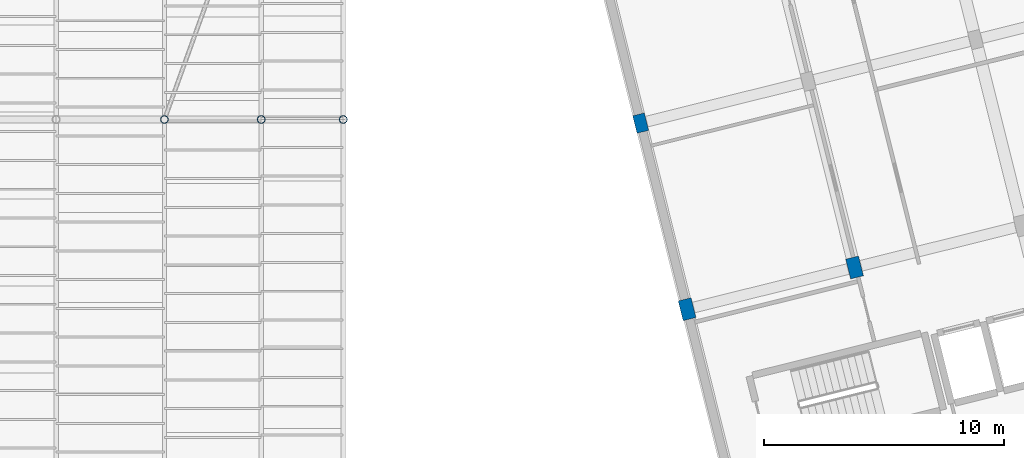
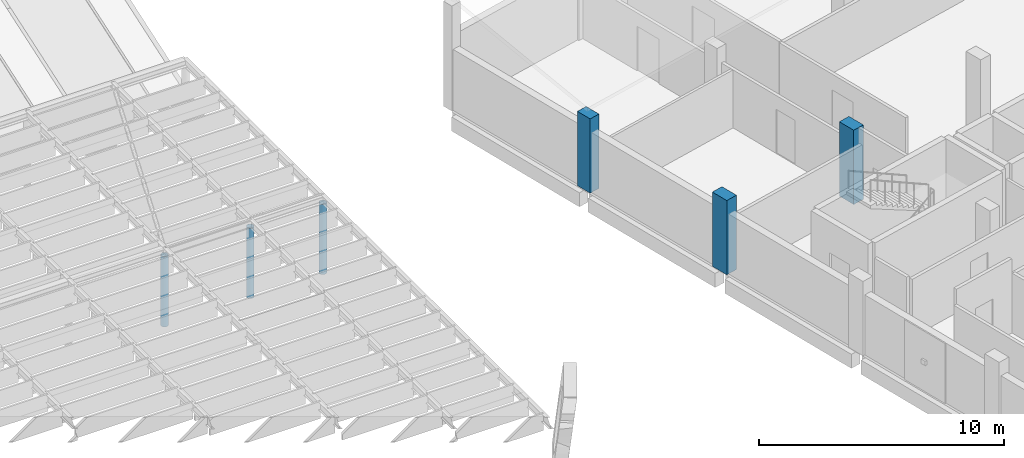
# One storey, part 8 of 47: 6 columns.
"""IFC4 building model written with IfcOpenShell, lengths in metres."""

from ifc_helpers import new_model, si_unit, direction, frame, origin, origin_2d, place, context, subcontext, project, spatial, rectangle, hollow_circle, extrude, material, material_profile, profile_set, type_object, element, save


model = new_model("IFC4")

# Units and contexts
model_context = context("Model", 3, precision=1e-05, world=origin(), true_north=direction((0.0, 1.0)))
body_context = subcontext(model_context, "Body", "Model", "MODEL_VIEW")
ifc_project = project(units=[si_unit("LENGTHUNIT", "METRE"), si_unit("AREAUNIT", "SQUARE_METRE"), si_unit("VOLUMEUNIT", "CUBIC_METRE"), si_unit("PLANEANGLEUNIT", "RADIAN"), si_unit("MASSUNIT", "GRAM", prefix="KILO")], contexts=[model_context])

# Site, building, storey
site_placement = place(None, origin())
site = spatial("IfcSite", under=ifc_project, at=site_placement, CompositionType="ELEMENT")
building_placement = place(site_placement, origin())
building = spatial("IfcBuilding", under=site, at=building_placement, Name="Mawjan Specialist Oncology Clinic", CompositionType="ELEMENT")
storey_placement = place(building_placement, frame((0.0, 0.0, 9.5)))
storey = spatial("IfcBuildingStorey", under=building, at=storey_placement, Name="L02", CompositionType="ELEMENT", Elevation=9.5)

# Columns
ifc_material_1 = material(Name="Concrete C45/55", Category="concrete")
ifc_material_profile_1 = material_profile(ifc_material_1, rectangle(XDim=0.5, YDim=0.75, at=origin_2d()), Name="RC COL 500x750", Category="concrete")
ifc_profile_set_1 = profile_set([ifc_material_profile_1], Name="Concrete C45/55")
column_type_1 = type_object("IfcColumnType", Name="C-500x750", PredefinedType="COLUMN", material=ifc_profile_set_1)
column_placement = place(storey_placement, frame((118.258544921875, 31.849365234375, 0.0), z_axis=(0.0, 0.0, 1.0), x_axis=(0.970295726276, 0.2419218956, 0.0)))
element("IfcColumn", 1, at=column_placement, inside=storey, type_object=column_type_1, Name="L02 Column R-RA-R5", PredefinedType="COLUMN", context=body_context, shape_type="SweptSolid", body=[
    extrude(rectangle(XDim=0.5, YDim=0.75, at=origin_2d()), origin(), (0.0, 0.0, 1.0), 3.699951171875),
])
ifc_material_2 = material(Name="Concrete C45/55", Category="concrete")
ifc_material_profile_2 = material_profile(ifc_material_2, rectangle(XDim=0.550048828125, YDim=0.85009765625, at=origin_2d()), Name="RC COL 550x850", Category="concrete")
ifc_profile_set_2 = profile_set([ifc_material_profile_2], Name="Concrete C45/55")
column_type_2 = type_object("IfcColumnType", Name="C-550x850", PredefinedType="COLUMN", material=ifc_profile_set_2)
for number, where, z_axis, x_axis, name in (
    (2, (120.19384765625, 24.087158203125, 0.0), (0.0, 0.0, 1.0), (0.970295726276, 0.2419218956, 0.0), "L02 Column R-RA-R4"),
    (3, (127.179931640625, 25.828857421875, 0.0), (0.0, 0.0, 1.0), (0.970295726276, 0.2419218956, 0.0), "L02 Column R-RB-R4"),
):
    element("IfcColumn", number, at=place(storey_placement, frame(where, z_axis=z_axis, x_axis=x_axis)), inside=storey, type_object=column_type_2, Name=name, PredefinedType="COLUMN", context=body_context, shape_type="SweptSolid", body=[
        extrude(rectangle(XDim=0.550048828125, YDim=0.85009765625, at=origin_2d()), origin(), (0.0, 0.0, 1.0), 3.699951171875),
    ])
ifc_material_3 = material(Name="Structural steel S355", Category="steel")
ifc_material_profile_3 = material_profile(ifc_material_3, hollow_circle(Radius=0.161865234375, WallThickness=0.011962890625, at=origin_2d()), Name="CHS 323.9x12", Category="steel")
ifc_profile_set_3 = profile_set([ifc_material_profile_3], Name="Structural steel S355")
column_type_3 = type_object("IfcColumnType", Name="SC-CHS324", PredefinedType="COLUMN", material=ifc_profile_set_3)
for number, where, z_axis, x_axis, name in (
    (4, (98.388671875, 32.0, 0.0), (0.0, 0.0, 1.0), (1.0, 0.0, 0.0), "Courtyard Canopy Column 9 L02"),
    (5, (102.426513671875, 32.0, 0.0), (0.0, 0.0, 1.0), (1.0, 0.0, 0.0), "Courtyard Canopy Column 10 L02"),
    (6, (105.847412109375, 32.0, 0.0), (0.0, 0.0, 1.0), (1.0, 0.0, 0.0), "Courtyard Canopy Column 11 L02"),
):
    element("IfcColumn", number, at=place(storey_placement, frame(where, z_axis=z_axis, x_axis=x_axis)), inside=storey, type_object=column_type_3, Name=name, PredefinedType="COLUMN", context=body_context, shape_type="SweptSolid", body=[
        extrude(hollow_circle(Radius=0.161865234375, WallThickness=0.011962890625, at=origin_2d()), origin(), (0.0, 0.0, 1.0), 3.5),
    ])

save(model, "model.ifc")
